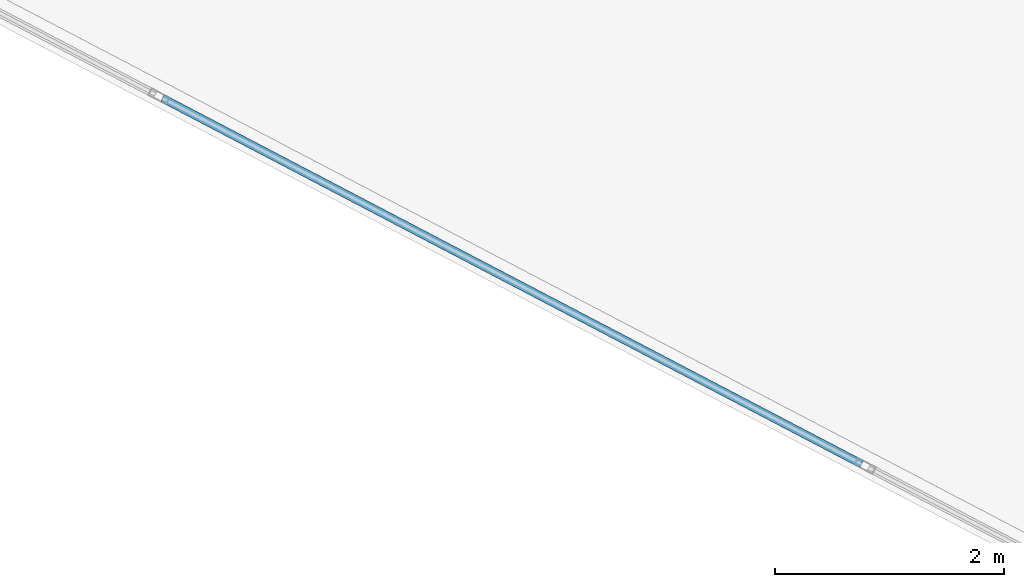
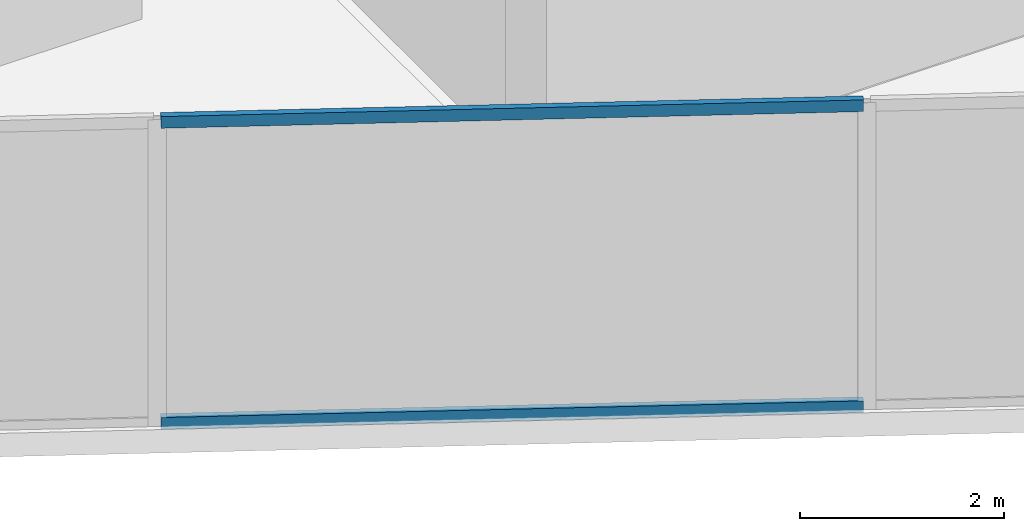
# One storey, part 4 of 27: 2 members, 1 element without a shape of its own.
"""IFC4 building model written with IfcOpenShell, lengths in metres."""

from ifc_helpers import new_model, si_unit, direction, frame, origin, origin_2d, place, context, subcontext, project, spatial, hollow_rectangle, extrude, source, transform, mapped, material, material_profile, profile_set, type_object, type_shapes, element, aggregate, save


model = new_model("IFC4")

# Units and contexts
model_context = context("Model", 3, precision=1e-05, world=origin(), true_north=direction((0.0, 1.0)))
body_context = subcontext(model_context, "Body", "Model", "MODEL_VIEW")
ifc_project = project(units=[si_unit("LENGTHUNIT", "METRE"), si_unit("AREAUNIT", "SQUARE_METRE"), si_unit("VOLUMEUNIT", "CUBIC_METRE"), si_unit("PLANEANGLEUNIT", "RADIAN"), si_unit("MASSUNIT", "GRAM", prefix="KILO")], contexts=[model_context])

# Site, building, storey
site_placement = place(None, origin())
site = spatial("IfcSite", under=ifc_project, at=site_placement, CompositionType="ELEMENT")
building_placement = place(site_placement, origin())
building = spatial("IfcBuilding", under=site, at=building_placement, Name="Krantzveldt Concourse Tower", CompositionType="ELEMENT")
storey_placement = place(building_placement, frame((0.0, 0.0, 150.14990234375)))
storey = spatial("IfcBuildingStorey", under=building, at=storey_placement, Name="L36", CompositionType="ELEMENT", Elevation=150.14990234375)

# Curtain wall, members
ifc_material = material(Name="Anodised aluminium 6063-T6", Category="aluminium")
curtain_wall_type = type_object("IfcCurtainWallType", Name="CW3", PredefinedType="USERDEFINED", material=ifc_material)
curtain_wall_placement = place(storey_placement, origin())
curtain_wall = element("IfcCurtainWall", 1, at=curtain_wall_placement, inside=storey, type_object=curtain_wall_type, Name="CW-L36-F04", ObjectType="UNITISED CURTAIN WALL", PredefinedType="USERDEFINED")
ifc_material_profile = material_profile(ifc_material, hollow_rectangle(XDim=0.070068359375, YDim=0.139892578125, WallThickness=0.0048828125, at=origin_2d()), Name="Anodised aluminium 6063-T6", Category="aluminium")
ifc_profile_set = profile_set([ifc_material_profile], Name="Anodised aluminium 6063-T6 - ALU-TRAN 140x70x5")
member_type = type_object("IfcMemberType", Name="CW-TRN-150", PredefinedType="USERDEFINED", material=ifc_profile_set)
shared_shape = source(origin(), body_context, "Body", "SweptSolid", [
    extrude(hollow_rectangle(XDim=0.070068359375, YDim=0.139892578125, WallThickness=0.0048828125, at=origin_2d()), origin(), (0.0, 0.0, 1.0), 6.89013671875),
])
type_shapes(member_type, [shared_shape])
member_1_placement = place(storey_placement, frame((22.834716796875, 8.9736328125, 0.03515625), z_axis=(0.88600416291, -0.463677283577, 0.0), x_axis=(0.463677283577, 0.88600416291, 0.0)))
member_1 = element("IfcMember", 2, at=member_1_placement, type_object=member_type, Name="CW-Z34 transom 3.1", ObjectType="TRANSOM", PredefinedType="USERDEFINED", context=body_context, shape_type="MappedRepresentation", body=[
    mapped(shared_shape, transform((0.0, 0.0, 0.0), x_axis=(1.0, 0.0, 0.0), y_axis=(0.0, 1.0, 0.0), z_axis=(0.0, 0.0, 1.0), scale=1.0)),
])
member_2_placement = place(storey_placement, frame((22.834716796875, 8.9736328125, 3.635009765625), z_axis=(0.88600416291, -0.463677283577, 0.0), x_axis=(0.463677283577, 0.88600416291, 0.0)))
member_2 = element("IfcMember", 3, at=member_2_placement, type_object=member_type, Name="CW-Z34 transom 3.2", ObjectType="TRANSOM", PredefinedType="USERDEFINED", context=body_context, shape_type="MappedRepresentation", body=[
    mapped(shared_shape, transform((0.0, 0.0, 0.0), x_axis=(1.0, 0.0, 0.0), y_axis=(0.0, 1.0, 0.0), z_axis=(0.0, 0.0, 1.0), scale=1.0)),
])
aggregate(curtain_wall, [member_1, member_2])

save(model, "model.ifc")
